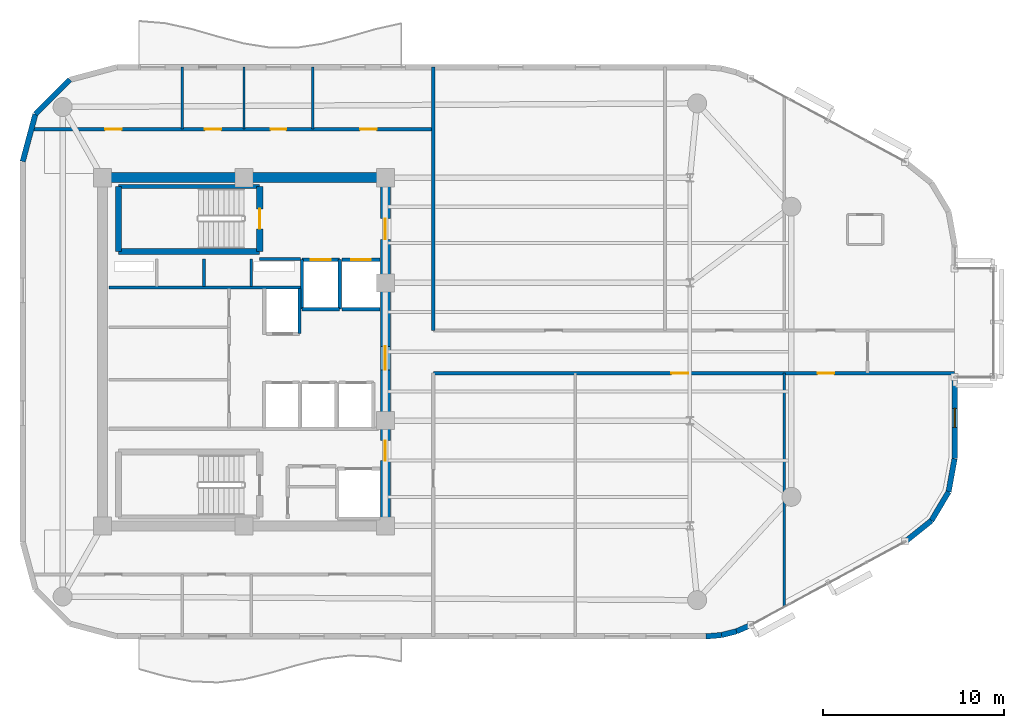
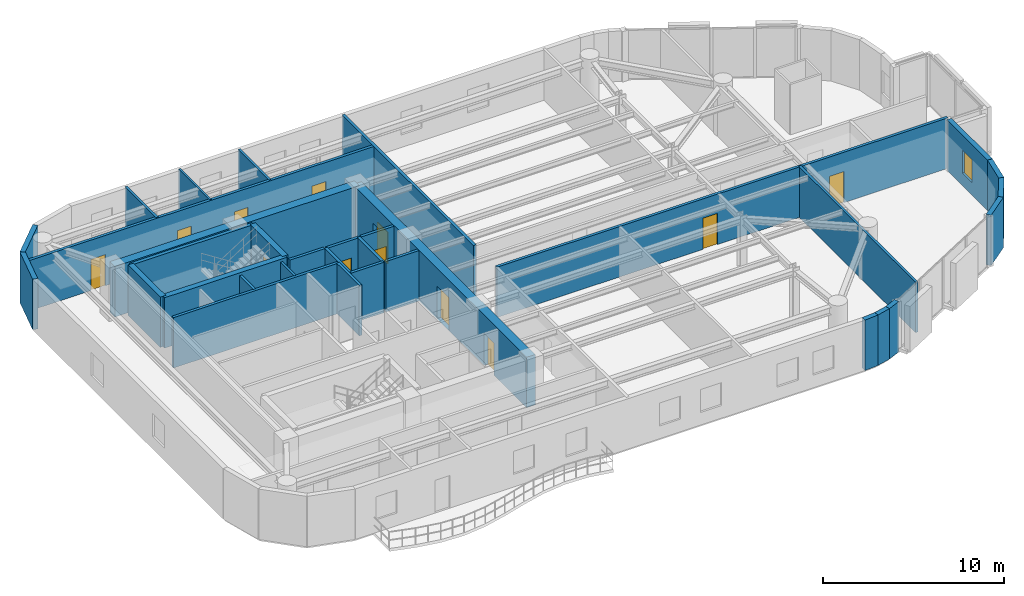
# One storey, part 11 of 15: 33 walls, 12 doors, 1 window, 13 openings.
"""IFC4 building model written with IfcOpenShell, lengths in metres."""

import ifcopenshell
import ifcopenshell.guid

model = None  # the IFC model being written
_history = None  # IfcOwnerHistory: only IFC2X3 demands one
_inside = {}  # id of a spatial element -> (the spatial element, [elements in it])
_under = {}  # id of a project, library or spatial element -> (it, [spatial elements below it])
_declared = {}  # id of a project -> (the project, [libraries it declares])
_typed = {}  # id of a type object -> (the type object, [elements of that type])
_made_of = {}  # id of a material, layer set ... -> (it, [elements and type objects made of it])


def new_model(schema):
    """Start an empty IFC model of exactly this schema.

    Asked for "IFC4X3", IfcOpenShell would pick the latest addendum, in which some entities
    have other attributes; the version numbers below select the first issue.
    IFC2X3 requires an IfcOwnerHistory on every rooted entity: one is made here for all.
    """
    global model, _history
    if schema == "IFC4X3":
        model = ifcopenshell.file(schema_version=(4, 3, 0, 0))
    else:
        model = ifcopenshell.file(schema=schema)
    _inside.clear()
    _under.clear()
    _declared.clear()
    _typed.clear()
    _made_of.clear()
    _history = None
    if model.schema == "IFC2X3":
        org = make("IfcOrganization", Name="unknown")
        user = make(
            "IfcPersonAndOrganization",
            ThePerson=make("IfcPerson", FamilyName="unknown"),
            TheOrganization=org,
        )
        app = make(
            "IfcApplication",
            ApplicationDeveloper=org,
            Version="unknown",
            ApplicationFullName="unknown",
            ApplicationIdentifier="unknown",
        )
        _history = make(
            "IfcOwnerHistory",
            OwningUser=user,
            OwningApplication=app,
            ChangeAction="ADDED",
            CreationDate=0,
        )
    return model


def make(cls, **values):
    """One entity of the class cls with the attributes given. An attribute that is None is left unset."""
    return model.create_entity(
        cls, **{name: value for name, value in values.items() if value is not None}
    )


def rooted(cls, **values):
    """An entity with a GlobalId (a new one), such as an element, a storey or a relation."""
    return make(cls, GlobalId=ifcopenshell.guid.new(), OwnerHistory=_history, **values)


def si_unit(unit_type, name, prefix=None):
    """IfcSIUnit, for example si_unit("LENGTHUNIT", "METRE", prefix="MILLI")."""
    return make("IfcSIUnit", UnitType=unit_type, Prefix=prefix, Name=name)


def assignment(units):
    """IfcUnitAssignment: the units of a project."""
    return None if units is None else make("IfcUnitAssignment", Units=units)


def point(xyz):
    """IfcCartesianPoint."""
    return None if xyz is None else make("IfcCartesianPoint", Coordinates=xyz)


def direction(xyz):
    """IfcDirection."""
    return None if xyz is None else make("IfcDirection", DirectionRatios=xyz)


def frame(location, z_axis=None, x_axis=None):
    """IfcAxis2Placement3D, a coordinate frame: its origin and axes. An axis left out is left unset."""
    return make(
        "IfcAxis2Placement3D",
        Location=point(location),
        Axis=direction(z_axis),
        RefDirection=direction(x_axis),
    )


def frame_2d(location, x_axis=None):
    """IfcAxis2Placement2D, a coordinate frame in the plane: its origin and x axis."""
    return make(
        "IfcAxis2Placement2D", Location=point(location), RefDirection=direction(x_axis)
    )


def origin():
    """The frame at (0, 0, 0) with its axes left unset."""
    return frame((0.0, 0.0, 0.0))


def place(relative_to, where):
    """IfcLocalPlacement: puts the frame where relative to a parent placement (None: the world)."""
    return make(
        "IfcLocalPlacement", PlacementRelTo=relative_to, RelativePlacement=where
    )


def context(
    kind, dimensions, precision=None, world=None, true_north=None, identifier=None
):
    """IfcGeometricRepresentationContext, for example the 3D "Model" context."""
    return make(
        "IfcGeometricRepresentationContext",
        ContextIdentifier=identifier,
        ContextType=kind,
        CoordinateSpaceDimension=dimensions,
        Precision=precision,
        WorldCoordinateSystem=world,
        TrueNorth=true_north,
    )


def subcontext(parent, identifier, kind, view, scale=None):
    """IfcGeometricRepresentationSubContext, for example "Body" below "Model"."""
    return make(
        "IfcGeometricRepresentationSubContext",
        ContextIdentifier=identifier,
        ContextType=kind,
        ParentContext=parent,
        TargetScale=scale,
        TargetView=view,
    )


def project(units=None, contexts=None):
    """IfcProject with its units and contexts."""
    return rooted(
        "IfcProject",
        Name="project",
        RepresentationContexts=contexts,
        UnitsInContext=assignment(units),
    )


def spatial(cls, under=None, at=None, **own):
    """A site, building, storey or space (cls), placed at a placement, below another one or the project."""
    s = rooted(cls, ObjectPlacement=at, **own)
    if under is not None:
        _under.setdefault(under.id(), (under, []))[1].append(s)
    return s


def profile(cls, at=None, kind="AREA", **sizes):
    """A parametric profile (cls). Its sizes go by their IFC names, for example OverallWidth=200.0."""
    return make(cls, ProfileType=kind, Position=at, **sizes)


def rectangle(**sizes):
    """IfcRectangleProfileDef."""
    return profile("IfcRectangleProfileDef", **sizes)


def extrude(swept, where, along, depth):
    """IfcExtrudedAreaSolid: the profile swept, set in the frame where, extruded along a direction by depth."""
    return make(
        "IfcExtrudedAreaSolid",
        SweptArea=swept,
        Position=where,
        ExtrudedDirection=direction(along),
        Depth=depth,
    )


def shape(context_of_items, identifier, shape_type, items):
    """IfcShapeRepresentation: the items that make up one representation, for example the "Body"."""
    return make(
        "IfcShapeRepresentation",
        ContextOfItems=context_of_items,
        RepresentationIdentifier=identifier,
        RepresentationType=shape_type,
        Items=items,
    )


def material(Name=None, Category=None):
    """IfcMaterial."""
    return make("IfcMaterial", Name=Name, Category=Category)


def layer(
    of_material, thickness, ventilated=None, Name=None, Category=None, Priority=None
):
    """IfcMaterialLayer: one layer of a wall or slab, of a material (None: an air gap)."""
    return make(
        "IfcMaterialLayer",
        Material=of_material,
        LayerThickness=thickness,
        IsVentilated=ventilated,
        Name=Name,
        Category=Category,
        Priority=Priority,
    )


def layer_set(layers, Name=None):
    """IfcMaterialLayerSet."""
    return make("IfcMaterialLayerSet", MaterialLayers=layers, LayerSetName=Name)


def made_of(thing, what):
    """Note that an element or type object is made of a material, layer set ...; save() writes the relation."""
    if what is not None:
        _made_of.setdefault(what.id(), (what, []))[1].append(thing)
    return thing


def type_object(cls, material=None, **own):
    """A type object (cls), such as IfcWallType, which elements share."""
    return made_of(rooted(cls, **own), material)


def element(
    cls,
    number,
    at=None,
    inside=None,
    cuts=None,
    type_object=None,
    material=None,
    context=None,
    identifier="Body",
    shape_type=None,
    held_by="IfcProductDefinitionShape",
    body=None,
    shapes=None,
    **own,
):
    """One element of the class cls, such as IfcWall. Its Tag is "e" and its number.

    at: its placement. inside: the storey or other place that contains it. cuts: it is an
    opening in that element (IfcRelVoidsElement). A single representation is given by context,
    identifier, shape_type and body (its items); several are given by shapes. held_by: the class
    of the entity that holds the representations. save() writes the other relations.
    """
    e = rooted(cls, Tag="e%d" % number, ObjectPlacement=at, **own)
    if body is not None:
        shapes = [shape(context, identifier, shape_type, body)]
    if shapes is not None:
        e.Representation = make(held_by, Representations=shapes)
    if inside is not None:
        _inside.setdefault(inside.id(), (inside, []))[1].append(e)
    if cuts is not None:
        rooted(
            "IfcRelVoidsElement", RelatingBuildingElement=cuts, RelatedOpeningElement=e
        )
    if type_object is not None:
        _typed.setdefault(type_object.id(), (type_object, []))[1].append(e)
    return made_of(e, material)


def fill(opening, filler):
    """IfcRelFillsElement: the door or window that sits in an opening."""
    return rooted(
        "IfcRelFillsElement",
        RelatingOpeningElement=opening,
        RelatedBuildingElement=filler,
    )


def aggregate(whole, parts):
    """IfcRelAggregates: a whole, such as a stair, and the parts it consists of."""
    return rooted("IfcRelAggregates", RelatingObject=whole, RelatedObjects=parts)


def save(model, path):
    """Write the relations noted so far, then the file.

    IfcRelAggregates (storeys below a building ...), IfcRelContainedInSpatialStructure (elements
    in a storey), IfcRelDefinesByType, IfcRelAssociatesMaterial and IfcRelDeclares: one each for
    every whole, place, type object, material and project.
    """
    for whole, parts in _under.values():
        aggregate(whole, parts)
    for where, things in _inside.values():
        rooted(
            "IfcRelContainedInSpatialStructure",
            RelatedElements=things,
            RelatingStructure=where,
        )
    for kind, things in _typed.values():
        rooted("IfcRelDefinesByType", RelatedObjects=things, RelatingType=kind)
    for what, things in _made_of.values():
        rooted("IfcRelAssociatesMaterial", RelatedObjects=things, RelatingMaterial=what)
    for by, libraries in _declared.values():
        rooted("IfcRelDeclares", RelatingContext=by, RelatedDefinitions=libraries)
    model.write(path)


model = new_model("IFC4")

# Units and contexts
model_context = context("Model", 3, precision=1e-05, world=origin(), true_north=direction((0.0, 1.0)))
body_context = subcontext(model_context, "Body", "Model", "MODEL_VIEW")
ifc_project = project(units=[si_unit("LENGTHUNIT", "METRE"), si_unit("AREAUNIT", "SQUARE_METRE"), si_unit("VOLUMEUNIT", "CUBIC_METRE"), si_unit("PLANEANGLEUNIT", "RADIAN"), si_unit("MASSUNIT", "GRAM", prefix="KILO")], contexts=[model_context])

# Site, building, storey
site_placement = place(None, origin())
site = spatial("IfcSite", under=ifc_project, at=site_placement, CompositionType="ELEMENT")
building_placement = place(site_placement, origin())
building = spatial("IfcBuilding", under=site, at=building_placement, Name="An Khanh Terracotta Commons", CompositionType="ELEMENT")
storey_placement = place(building_placement, frame((0.0, 0.0, 208.5)))
storey = spatial("IfcBuildingStorey", under=building, at=storey_placement, Name="L54", CompositionType="ELEMENT", Elevation=208.5)

# Wall
ifc_material_1 = material(Name="Concrete C50/60", Category="concrete")
ifc_layer_1 = layer(ifc_material_1, 0.550048828125, Name="Concrete C50/60")
ifc_layer_set_1 = layer_set([ifc_layer_1], Name="Concrete C50/60")
wall_type_1 = type_object("IfcWallType", Name="WALL-CORE-550", PredefinedType="SHEAR", material=ifc_layer_set_1)
wall_1_placement = place(storey_placement, frame((21.60009765625, 33.60009765625, 0.0), z_axis=(0.0, 0.0, 1.0), x_axis=(1.0, 0.0, 0.0)))
element("IfcWall", 1, at=wall_1_placement, inside=storey, type_object=wall_type_1, Name="L54 Core Wall CWALL-L54-N", PredefinedType="SHEAR", context=body_context, shape_type="SweptSolid", body=[
    extrude(rectangle(XDim=15.599853515625, YDim=0.550048828125, at=frame_2d((7.7998046875, 0.0))), origin(), (0.0, 0.0, 1.0), 3.39990234375),
])

# Wall, openings, doors
wall_2_placement = place(storey_placement, frame((37.199951171875, 14.39990234375, 0.0), z_axis=(0.0, 0.0, 1.0), x_axis=(0.0, 1.0, 0.0)))
wall_2 = element("IfcWall", 2, at=wall_2_placement, inside=storey, type_object=wall_type_1, Name="L54 Core Wall CWALL-L54-E", PredefinedType="SHEAR", context=body_context, shape_type="SweptSolid", body=[
    extrude(rectangle(XDim=19.2001953125, YDim=0.550048828125, at=frame_2d((9.60009765625, 0.0))), origin(), (0.0, 0.0, 1.0), 3.39990234375),
])
opening_1_placement = place(wall_2_placement, frame((15.800048828125, 0.0, 0.0)))
opening_1 = element("IfcOpeningElement", 3, at=opening_1_placement, cuts=wall_2, Name="Opening D-FFL", PredefinedType="OPENING", context=body_context, shape_type="SweptSolid", body=[
    extrude(rectangle(XDim=1.14990234375, YDim=2.14990234375, at=frame_2d((0.574951171875, 1.074951171875))), frame((0.0, 0.284912109375, 0.0), z_axis=(0.0, -1.0, 0.0), x_axis=(1.0, 0.0, 0.0)), (0.0, 0.0, 1.0), 0.570068359375),
])
opening_2_placement = place(wall_2_placement, frame((3.60009765625, 0.0, 0.0)))
opening_2 = element("IfcOpeningElement", 4, at=opening_2_placement, cuts=wall_2, Name="Opening D-ST", PredefinedType="OPENING", context=body_context, shape_type="SweptSolid", body=[
    extrude(rectangle(XDim=1.10009765625, YDim=2.14990234375, at=frame_2d((0.550048828125, 1.074951171875))), frame((0.0, 0.284912109375, 0.0), z_axis=(0.0, -1.0, 0.0), x_axis=(1.0, 0.0, 0.0)), (0.0, 0.0, 1.0), 0.570068359375),
])
opening_3_placement = place(wall_2_placement, frame((8.60009765625, 0.0, 0.0)))
opening_3 = element("IfcOpeningElement", 5, at=opening_3_placement, cuts=wall_2, Name="Opening D-COR", PredefinedType="OPENING", context=body_context, shape_type="SweptSolid", body=[
    extrude(rectangle(XDim=1.300048828125, YDim=2.199951171875, at=frame_2d((0.64990234375, 1.10009765625))), frame((0.0, 0.284912109375, 0.0), z_axis=(0.0, -1.0, 0.0), x_axis=(1.0, 0.0, 0.0)), (0.0, 0.0, 1.0), 0.570068359375),
])
ifc_material_2 = material(Name="Fire-Rated Glazed Steel Double Door", Category="steel")
door_type_1 = type_object("IfcDoorType", Name="DOOR-CORR-1300", OperationType="NOTDEFINED", PredefinedType="DOOR", material=ifc_material_2)
door_1_placement = place(opening_3_placement, origin())
door_1 = element("IfcDoor", 6, at=door_1_placement, inside=storey, type_object=door_type_1, Name="L54 Passenger Lift Lobby Double Door", OperationType="DOUBLE_DOOR_SINGLE_SWING", OverallHeight=2.199951171875, OverallWidth=1.300048828125, PredefinedType="DOOR", context=body_context, shape_type="SweptSolid", body=[
    extrude(rectangle(XDim=1.300048828125, YDim=2.199951171875, at=frame_2d((0.64990234375, 1.10009765625))), frame((0.0, 0.02490234375, 0.0), z_axis=(0.0, -1.0, 0.0), x_axis=(1.0, 0.0, 0.0)), (0.0, 0.0, 1.0), 0.050048828125),
])
fill(opening_3, door_1)
ifc_material_3 = material(Name="Fire-Rated Steel Leaf and Vision Panel", Category="steel")
door_type_2 = type_object("IfcDoorType", Name="DOOR-FFL-1150", OperationType="NOTDEFINED", PredefinedType="DOOR", material=ifc_material_3)
door_2_placement = place(opening_1_placement, origin())
door_2 = element("IfcDoor", 7, at=door_2_placement, inside=storey, type_object=door_type_2, Name="L54 Firefighting Lift Lobby Fire Door", OperationType="SINGLE_SWING_LEFT", OverallHeight=2.14990234375, OverallWidth=1.14990234375, PredefinedType="DOOR", context=body_context, shape_type="SweptSolid", body=[
    extrude(rectangle(XDim=1.14990234375, YDim=2.14990234375, at=frame_2d((0.574951171875, 1.074951171875))), frame((0.0, 0.02490234375, 0.0), z_axis=(0.0, -1.0, 0.0), x_axis=(1.0, 0.0, 0.0)), (0.0, 0.0, 1.0), 0.050048828125),
])
fill(opening_1, door_2)
ifc_material_4 = material(Name="Fire-Rated Steel Leaf and Frame", Category="steel")
door_type_3 = type_object("IfcDoorType", Name="DOOR-STAIR-1100", OperationType="NOTDEFINED", PredefinedType="DOOR", material=ifc_material_4)
door_3_placement = place(opening_2_placement, origin())
door_3 = element("IfcDoor", 8, at=door_3_placement, inside=storey, type_object=door_type_3, Name="L54 South Stair Lobby Fire Door", OperationType="SINGLE_SWING_RIGHT", OverallHeight=2.14990234375, OverallWidth=1.10009765625, PredefinedType="DOOR", context=body_context, shape_type="SweptSolid", body=[
    extrude(rectangle(XDim=1.10009765625, YDim=2.14990234375, at=frame_2d((0.550048828125, 1.074951171875))), frame((0.0, 0.02490234375, 0.0), z_axis=(0.0, -1.0, 0.0), x_axis=(1.0, 0.0, 0.0)), (0.0, 0.0, 1.0), 0.050048828125),
])
fill(opening_2, door_3)

# Walls
ifc_material_5 = material(Name="Fire-Rated Gypsum Board on Steel Stud", Category="steel")
ifc_layer_2 = layer(ifc_material_5, 0.179931640625, Name="Fire-Rated Gypsum Board on Steel Stud")
ifc_layer_set_2 = layer_set([ifc_layer_2], Name="Fire-Rated Gypsum Board on Steel Stud")
wall_type_2 = type_object("IfcWallType", Name="WALL-CORR-180", PredefinedType="PARTITIONING", material=ifc_layer_set_2)
wall_3_placement = place(storey_placement, frame((30.27001953125, 29.1201171875, 0.0), z_axis=(0.0, 0.0, 1.0), x_axis=(1.0, 0.0, 0.0)))
element("IfcWall", 9, at=wall_3_placement, inside=storey, type_object=wall_type_2, Name="L54 Core Wall FFLW-L54-S", PredefinedType="PARTITIONING", context=body_context, shape_type="SweptSolid", body=[
    extrude(rectangle(XDim=2.239990234375, YDim=0.179931640625, at=frame_2d((1.1201171875, 0.0))), origin(), (0.0, 0.0, 1.0), 3.39990234375),
])
wall_4_placement = place(storey_placement, frame((21.949951171875, 27.5400390625, 0.0), z_axis=(0.0, 0.0, 1.0), x_axis=(1.0, 0.0, 0.0)))
element("IfcWall", 10, at=wall_4_placement, inside=storey, type_object=wall_type_2, Name="L54 Core Wall RSRW-L54-S", PredefinedType="PARTITIONING", context=body_context, shape_type="SweptSolid", body=[
    extrude(rectangle(XDim=10.56005859375, YDim=0.179931640625, at=frame_2d((5.280029296875, 0.0))), origin(), (0.0, 0.0, 1.0), 3.39990234375),
])

# Wall, opening, door
wall_5_placement = place(storey_placement, frame((32.60009765625, 29.080078125, 0.0), z_axis=(0.0, 0.0, 1.0), x_axis=(1.0, 0.0, 0.0)))
wall_5 = element("IfcWall", 11, at=wall_5_placement, inside=storey, type_object=wall_type_2, Name="L54 Core Wall LSH-L54-FFL-01-N", PredefinedType="PARTITIONING", context=body_context, shape_type="SweptSolid", body=[
    extrude(rectangle(XDim=2.079833984375, YDim=0.179931640625, at=frame_2d((1.0400390625, 0.0))), origin(), (0.0, 0.0, 1.0), 3.39990234375),
])
opening_4_placement = place(wall_5_placement, frame((0.489990234375, 0.0, 0.0)))
opening_4 = element("IfcOpeningElement", 12, at=opening_4_placement, cuts=wall_5, Name="Opening LD-FFL-01-L54", PredefinedType="OPENING", context=body_context, shape_type="SweptSolid", body=[
    extrude(rectangle(XDim=1.10009765625, YDim=2.199951171875, at=frame_2d((0.550048828125, 1.10009765625))), frame((0.0, 0.099853515625, 0.0), z_axis=(0.0, -1.0, 0.0), x_axis=(1.0, 0.0, 0.0)), (0.0, 0.0, 1.0), 0.199951171875),
])
ifc_material_6 = material(Name="Brushed Stainless Steel Fire Landing Door", Category="steel")
door_type_4 = type_object("IfcDoorType", Name="DOOR-LD-FFL-1100", OperationType="NOTDEFINED", PredefinedType="DOOR", material=ifc_material_6)
door_4_placement = place(opening_4_placement, origin())
door_4 = element("IfcDoor", 13, at=door_4_placement, inside=storey, type_object=door_type_4, Name="L54 Lift FFL-01 Sliding Landing Door", OperationType="DOUBLE_DOOR_SLIDING", OverallHeight=2.199951171875, OverallWidth=1.10009765625, PredefinedType="DOOR", context=body_context, shape_type="SweptSolid", body=[
    extrude(rectangle(XDim=1.10009765625, YDim=2.199951171875, at=frame_2d((0.550048828125, 1.10009765625))), frame((0.0, 0.02490234375, 0.0), z_axis=(0.0, -1.0, 0.0), x_axis=(1.0, 0.0, 0.0)), (0.0, 0.0, 1.0), 0.050048828125),
])
fill(opening_4, door_4)

# Walls
wall_6_placement = place(storey_placement, frame((34.679931640625, 26.35009765625, 0.0), z_axis=(0.0, 0.0, 1.0), x_axis=(-1.0, 0.0, 0.0)))
element("IfcWall", 14, at=wall_6_placement, inside=storey, type_object=wall_type_2, Name="L54 Core Wall LSH-L54-FFL-01-S", PredefinedType="PARTITIONING", context=body_context, shape_type="SweptSolid", body=[
    extrude(rectangle(XDim=2.079833984375, YDim=0.179931640625, at=frame_2d((1.0400390625, 0.0))), origin(), (0.0, 0.0, 1.0), 3.39990234375),
])
for number, where, z_axis, x_axis, name in (
    (15, (34.679931640625, 26.35009765625, 0.0), (0.0, 0.0, 1.0), (0.0, 1.0, 0.0), "L54 Core Wall LSH-L54-FFL-01-E"),
    (16, (32.60009765625, 29.080078125, 0.0), (0.0, 0.0, 1.0), (0.0, -1.0, 0.0), "L54 Core Wall LSH-L54-FFL-01-W"),
):
    element("IfcWall", number, at=place(storey_placement, frame(where, z_axis=z_axis, x_axis=x_axis)), inside=storey, type_object=wall_type_2, Name=name, PredefinedType="PARTITIONING", context=body_context, shape_type="SweptSolid", body=[
        extrude(rectangle(XDim=2.72998046875, YDim=0.179931640625, at=frame_2d((1.364990234375, 0.0))), origin(), (0.0, 0.0, 1.0), 3.39990234375),
    ])

# Wall, opening, door
wall_7_placement = place(storey_placement, frame((34.820068359375, 29.080078125, 0.0), z_axis=(0.0, 0.0, 1.0), x_axis=(1.0, 0.0, 0.0)))
wall_7 = element("IfcWall", 17, at=wall_7_placement, inside=storey, type_object=wall_type_2, Name="L54 Core Wall LSH-L54-FFL-02-N", PredefinedType="PARTITIONING", context=body_context, shape_type="SweptSolid", body=[
    extrude(rectangle(XDim=2.079833984375, YDim=0.179931640625, at=frame_2d((1.0400390625, 0.0))), origin(), (0.0, 0.0, 1.0), 3.39990234375),
])
opening_5_placement = place(wall_7_placement, frame((0.489990234375, 0.0, 0.0)))
opening_5 = element("IfcOpeningElement", 18, at=opening_5_placement, cuts=wall_7, Name="Opening LD-FFL-02-L54", PredefinedType="OPENING", context=body_context, shape_type="SweptSolid", body=[
    extrude(rectangle(XDim=1.10009765625, YDim=2.199951171875, at=frame_2d((0.550048828125, 1.10009765625))), frame((0.0, 0.099853515625, 0.0), z_axis=(0.0, -1.0, 0.0), x_axis=(1.0, 0.0, 0.0)), (0.0, 0.0, 1.0), 0.199951171875),
])
door_5_placement = place(opening_5_placement, origin())
door_5 = element("IfcDoor", 19, at=door_5_placement, inside=storey, type_object=door_type_4, Name="L54 Lift FFL-02 Sliding Landing Door", OperationType="DOUBLE_DOOR_SLIDING", OverallHeight=2.199951171875, OverallWidth=1.10009765625, PredefinedType="DOOR", context=body_context, shape_type="SweptSolid", body=[
    extrude(rectangle(XDim=1.10009765625, YDim=2.199951171875, at=frame_2d((0.550048828125, 1.10009765625))), frame((0.0, 0.02490234375, 0.0), z_axis=(0.0, -1.0, 0.0), x_axis=(1.0, 0.0, 0.0)), (0.0, 0.0, 1.0), 0.050048828125),
])
fill(opening_5, door_5)

# Walls
wall_8_placement = place(storey_placement, frame((36.89990234375, 26.35009765625, 0.0), z_axis=(0.0, 0.0, 1.0), x_axis=(-1.0, 0.0, 0.0)))
element("IfcWall", 20, at=wall_8_placement, inside=storey, type_object=wall_type_2, Name="L54 Core Wall LSH-L54-FFL-02-S", PredefinedType="PARTITIONING", context=body_context, shape_type="SweptSolid", body=[
    extrude(rectangle(XDim=2.079833984375, YDim=0.179931640625, at=frame_2d((1.0400390625, 0.0))), origin(), (0.0, 0.0, 1.0), 3.39990234375),
])
wall_9_placement = place(storey_placement, frame((32.4599609375, 25.0, 0.0), z_axis=(0.0, 0.0, 1.0), x_axis=(0.0, 1.0, 0.0)))
element("IfcWall", 21, at=wall_9_placement, inside=storey, type_object=wall_type_2, Name="L54 Core Wall LSH-L54-PL-H1-E", PredefinedType="PARTITIONING", context=body_context, shape_type="SweptSolid", body=[
    extrude(rectangle(XDim=2.5, YDim=0.179931640625, at=frame_2d((1.25, 0.0))), origin(), (0.0, 0.0, 1.0), 3.39990234375),
])

# Wall, openings, doors
wall_10_placement = place(storey_placement, frame((39.85009765625, 22.820068359375, 0.0), z_axis=(0.0, 0.0, 1.0), x_axis=(1.0, 0.0, 0.0)))
wall_10 = element("IfcWall", 22, at=wall_10_placement, inside=storey, type_object=wall_type_2, Name="L54 Interior Partition IW-L54-E002", PredefinedType="PARTITIONING", context=body_context, shape_type="SweptSolid", body=[
    extrude(rectangle(XDim=28.75, YDim=0.179931640625, at=frame_2d((14.375, 0.0))), origin(), (0.0, 0.0, 1.0), 3.39990234375),
])
opening_6_placement = place(wall_10_placement, frame((13.131103515625, 0.0, 0.0)))
opening_6 = element("IfcOpeningElement", 23, at=opening_6_placement, cuts=wall_10, Name="Opening D-RM", PredefinedType="OPENING", context=body_context, shape_type="SweptSolid", body=[
    extrude(rectangle(XDim=0.919921875, YDim=2.10009765625, at=frame_2d((0.4599609375, 1.050048828125))), frame((0.0, 0.099853515625, 0.0), z_axis=(0.0, -1.0, 0.0), x_axis=(1.0, 0.0, 0.0)), (0.0, 0.0, 1.0), 0.199951171875),
])
opening_7_placement = place(wall_10_placement, frame((21.18994140625, 0.0, 0.0)))
opening_7 = element("IfcOpeningElement", 24, at=opening_7_placement, cuts=wall_10, Name="Opening D-RM", PredefinedType="OPENING", context=body_context, shape_type="SweptSolid", body=[
    extrude(rectangle(XDim=0.919921875, YDim=2.10009765625, at=frame_2d((0.4599609375, 1.050048828125))), frame((0.0, 0.099853515625, 0.0), z_axis=(0.0, -1.0, 0.0), x_axis=(1.0, 0.0, 0.0)), (0.0, 0.0, 1.0), 0.199951171875),
])
ifc_material_7 = material(Name="Engineered Hardwood Timber Leaf", Category="wood")
door_type_5 = type_object("IfcDoorType", Name="DOOR-INT-920", OperationType="NOTDEFINED", PredefinedType="DOOR", material=ifc_material_7)
door_6_placement = place(opening_6_placement, origin())
door_6 = element("IfcDoor", 25, at=door_6_placement, inside=storey, type_object=door_type_5, Name="L54 SB2 Group Tutorial Meeting Room Door", OperationType="SINGLE_SWING_LEFT", OverallHeight=2.10009765625, OverallWidth=0.919921875, PredefinedType="DOOR", context=body_context, shape_type="SweptSolid", body=[
    extrude(rectangle(XDim=0.919921875, YDim=2.10009765625, at=frame_2d((0.4599609375, 1.050048828125))), frame((0.0, 0.02490234375, 0.0), z_axis=(0.0, -1.0, 0.0), x_axis=(1.0, 0.0, 0.0)), (0.0, 0.0, 1.0), 0.050048828125),
])
fill(opening_6, door_6)
door_7_placement = place(opening_7_placement, origin())
door_7 = element("IfcDoor", 26, at=door_7_placement, inside=storey, type_object=door_type_5, Name="L54 ENO2 Riverfront Reading Hall Door", OperationType="SINGLE_SWING_LEFT", OverallHeight=2.10009765625, OverallWidth=0.919921875, PredefinedType="DOOR", context=body_context, shape_type="SweptSolid", body=[
    extrude(rectangle(XDim=0.919921875, YDim=2.10009765625, at=frame_2d((0.4599609375, 1.050048828125))), frame((0.0, 0.02490234375, 0.0), z_axis=(0.0, -1.0, 0.0), x_axis=(1.0, 0.0, 0.0)), (0.0, 0.0, 1.0), 0.050048828125),
])
fill(opening_7, door_7)

wall_11_placement = place(storey_placement, frame((17.677001953125, 36.280029296875, 0.0), z_axis=(0.0, 0.0, 1.0), x_axis=(1.0, 0.0, 0.0)))
wall_11 = element("IfcWall", 27, at=wall_11_placement, inside=storey, type_object=wall_type_2, Name="L54 Interior Partition IW-L54-E004", PredefinedType="PARTITIONING", context=body_context, shape_type="SweptSolid", body=[
    extrude(rectangle(XDim=22.173095703125, YDim=0.179931640625, at=frame_2d((11.08642578125, 0.0))), origin(), (0.0, 0.0, 1.0), 3.39990234375),
])
opening_8_placement = place(wall_11_placement, frame((9.572998046875, 0.0, 0.0)))
opening_8 = element("IfcOpeningElement", 28, at=opening_8_placement, cuts=wall_11, Name="Opening D-WC", PredefinedType="OPENING", context=body_context, shape_type="SweptSolid", body=[
    extrude(rectangle(XDim=0.89990234375, YDim=2.10009765625, at=frame_2d((0.449951171875, 1.050048828125))), frame((0.0, 0.099853515625, 0.0), z_axis=(0.0, -1.0, 0.0), x_axis=(1.0, 0.0, 0.0)), (0.0, 0.0, 1.0), 0.199951171875),
])
opening_9_placement = place(wall_11_placement, frame((13.193115234375, 0.0, 0.0)))
opening_9 = element("IfcOpeningElement", 29, at=opening_9_placement, cuts=wall_11, Name="Opening D-ENS", PredefinedType="OPENING", context=body_context, shape_type="SweptSolid", body=[
    extrude(rectangle(XDim=0.860107421875, YDim=2.10009765625, at=frame_2d((0.43017578125, 1.050048828125))), frame((0.0, 0.099853515625, 0.0), z_axis=(0.0, -1.0, 0.0), x_axis=(1.0, 0.0, 0.0)), (0.0, 0.0, 1.0), 0.199951171875),
])
opening_10_placement = place(wall_11_placement, frame((4.06298828125, 0.0, 0.0)))
opening_10 = element("IfcOpeningElement", 30, at=opening_10_placement, cuts=wall_11, Name="Opening D-RM", PredefinedType="OPENING", context=body_context, shape_type="SweptSolid", body=[
    extrude(rectangle(XDim=0.919921875, YDim=2.10009765625, at=frame_2d((0.4599609375, 1.050048828125))), frame((0.0, 0.099853515625, 0.0), z_axis=(0.0, -1.0, 0.0), x_axis=(1.0, 0.0, 0.0)), (0.0, 0.0, 1.0), 0.199951171875),
])
opening_11_placement = place(wall_11_placement, frame((18.1279296875, 0.0, 0.0)))
opening_11 = element("IfcOpeningElement", 31, at=opening_11_placement, cuts=wall_11, Name="Opening D-RM", PredefinedType="OPENING", context=body_context, shape_type="SweptSolid", body=[
    extrude(rectangle(XDim=0.919921875, YDim=2.10009765625, at=frame_2d((0.4599609375, 1.050048828125))), frame((0.0, 0.099853515625, 0.0), z_axis=(0.0, -1.0, 0.0), x_axis=(1.0, 0.0, 0.0)), (0.0, 0.0, 1.0), 0.199951171875),
])
ifc_material_8 = material(Name="Moisture-Resistant Hardwood Timber Leaf", Category="wood")
door_type_6 = type_object("IfcDoorType", Name="DOOR-BATH-860", OperationType="NOTDEFINED", PredefinedType="DOOR", material=ifc_material_8)
door_8_placement = place(opening_9_placement, origin())
door_8 = element("IfcDoor", 32, at=door_8_placement, inside=storey, type_object=door_type_6, Name="L54 SHW Resident Shared Shower and Washroom Door", OperationType="SINGLE_SWING_RIGHT", OverallHeight=2.10009765625, OverallWidth=0.860107421875, PredefinedType="DOOR", context=body_context, shape_type="SweptSolid", body=[
    extrude(rectangle(XDim=0.860107421875, YDim=2.10009765625, at=frame_2d((0.43017578125, 1.050048828125))), frame((0.0, 0.02490234375, 0.0), z_axis=(0.0, -1.0, 0.0), x_axis=(1.0, 0.0, 0.0)), (0.0, 0.0, 1.0), 0.050048828125),
])
fill(opening_9, door_8)
door_9_placement = place(opening_10_placement, origin())
door_9 = element("IfcDoor", 33, at=door_9_placement, inside=storey, type_object=door_type_5, Name="L54 NW1 Group Tutorial Meeting Room Door", OperationType="SINGLE_SWING_LEFT", OverallHeight=2.10009765625, OverallWidth=0.919921875, PredefinedType="DOOR", context=body_context, shape_type="SweptSolid", body=[
    extrude(rectangle(XDim=0.919921875, YDim=2.10009765625, at=frame_2d((0.4599609375, 1.050048828125))), frame((0.0, 0.02490234375, 0.0), z_axis=(0.0, -1.0, 0.0), x_axis=(1.0, 0.0, 0.0)), (0.0, 0.0, 1.0), 0.050048828125),
])
fill(opening_10, door_9)
door_10_placement = place(opening_11_placement, origin())
door_10 = element("IfcDoor", 34, at=door_10_placement, inside=storey, type_object=door_type_5, Name="L54 NWE Group Tutorial Meeting Room Door", OperationType="SINGLE_SWING_RIGHT", OverallHeight=2.10009765625, OverallWidth=0.919921875, PredefinedType="DOOR", context=body_context, shape_type="SweptSolid", body=[
    extrude(rectangle(XDim=0.919921875, YDim=2.10009765625, at=frame_2d((0.4599609375, 1.050048828125))), frame((0.0, 0.02490234375, 0.0), z_axis=(0.0, -1.0, 0.0), x_axis=(1.0, 0.0, 0.0)), (0.0, 0.0, 1.0), 0.050048828125),
])
fill(opening_11, door_10)
ifc_material_9 = material(Name="Laminate Moisture-Resistant Timber Leaf", Category="wood")
door_type_7 = type_object("IfcDoorType", Name="DOOR-WC-900", OperationType="NOTDEFINED", PredefinedType="DOOR", material=ifc_material_9)
door_11_placement = place(opening_8_placement, origin())
door_11 = element("IfcDoor", 35, at=door_11_placement, inside=storey, type_object=door_type_7, Name="L54 AWC Accessible WC Door", OperationType="SINGLE_SWING_LEFT", OverallHeight=2.10009765625, OverallWidth=0.89990234375, PredefinedType="DOOR", context=body_context, shape_type="SweptSolid", body=[
    extrude(rectangle(XDim=0.89990234375, YDim=2.10009765625, at=frame_2d((0.449951171875, 1.050048828125))), frame((0.0, 0.02490234375, 0.0), z_axis=(0.0, -1.0, 0.0), x_axis=(1.0, 0.0, 0.0)), (0.0, 0.0, 1.0), 0.050048828125),
])
fill(opening_8, door_11)

# Walls
wall_12_placement = place(storey_placement, frame((39.85009765625, 25.179931640625, 0.0), z_axis=(0.0, 0.0, 1.0), x_axis=(0.0, 1.0, 0.0)))
element("IfcWall", 36, at=wall_12_placement, inside=storey, type_object=wall_type_2, Name="L54 Interior Partition IW-L54-E011", PredefinedType="PARTITIONING", context=body_context, shape_type="SweptSolid", body=[
    extrude(rectangle(XDim=14.52001953125, YDim=0.179931640625, at=frame_2d((7.260009765625, 0.0))), origin(), (0.0, 0.0, 1.0), 3.39990234375),
])
ifc_material_10 = material(Name="Precast concrete C40/50", Category="concrete")
ifc_layer_3 = layer(ifc_material_10, 0.300048828125, Name="Precast concrete C40/50")
ifc_layer_set_3 = layer_set([ifc_layer_3], Name="Precast concrete C40/50")
wall_type_3 = type_object("IfcWallType", Name="WALL-EXT-300", PredefinedType="SOLIDWALL", material=ifc_layer_set_3)
wall_13_placement = place(storey_placement, frame((54.885009765625, 8.300048828125, 0.0), z_axis=(0.0, 0.0, 1.0), x_axis=(0.996565355958, 0.082809971041, 0.0)))
element("IfcWall", 37, at=wall_13_placement, inside=storey, type_object=wall_type_3, Name="L54 Insulated Terracotta Exterior Wall 5", PredefinedType="SOLIDWALL", context=body_context, shape_type="SweptSolid", body=[
    extrude(rectangle(XDim=0.85791015625, YDim=0.300048828125, at=frame_2d((0.428955078125, 0.0))), origin(), (0.0, 0.0, 1.0), 3.39990234375),
])
wall_14_placement = place(storey_placement, frame((55.739990234375, 8.37109375, 0.0), z_axis=(0.0, 0.0, 1.0), x_axis=(0.969536346338, 0.244947490555, 0.0)))
element("IfcWall", 38, at=wall_14_placement, inside=storey, type_object=wall_type_3, Name="L54 Insulated Terracotta Exterior Wall 6", PredefinedType="SOLIDWALL", context=body_context, shape_type="SweptSolid", body=[
    extrude(rectangle(XDim=0.857177734375, YDim=0.300048828125, at=frame_2d((0.4287109375, 0.0))), origin(), (0.0, 0.0, 1.0), 3.39990234375),
])
wall_15_placement = place(storey_placement, frame((56.571044921875, 8.5810546875, 0.0), z_axis=(0.0, 0.0, 1.0), x_axis=(0.916085473636, 0.400983048261, 0.0)))
element("IfcWall", 39, at=wall_15_placement, inside=storey, type_object=wall_type_3, Name="L54 Insulated Terracotta Exterior Wall 7", PredefinedType="SOLIDWALL", context=body_context, shape_type="SweptSolid", body=[
    extrude(rectangle(XDim=0.85791015625, YDim=0.300048828125, at=frame_2d((0.428955078125, 0.0))), origin(), (0.0, 0.0, 1.0), 3.39990234375),
])
wall_16_placement = place(storey_placement, frame((65.8720703125, 13.52587890625, 0.0), z_axis=(0.0, 0.0, 1.0), x_axis=(0.780920189257, 0.624630817372, 0.0)))
element("IfcWall", 40, at=wall_16_placement, inside=storey, type_object=wall_type_3, Name="L54 Insulated Terracotta Exterior Wall 9", PredefinedType="SOLIDWALL", context=body_context, shape_type="SweptSolid", body=[
    extrude(rectangle(XDim=1.854248046875, YDim=0.300048828125, at=frame_2d((0.92724609375, 0.0))), origin(), (0.0, 0.0, 1.0), 3.39990234375),
])
wall_17_placement = place(storey_placement, frame((67.320068359375, 14.68408203125, 0.0), z_axis=(0.0, 0.0, 1.0), x_axis=(0.512072018927, 0.858942516955, 0.0)))
element("IfcWall", 41, at=wall_17_placement, inside=storey, type_object=wall_type_3, Name="L54 Insulated Terracotta Exterior Wall 10", PredefinedType="SOLIDWALL", context=body_context, shape_type="SweptSolid", body=[
    extrude(rectangle(XDim=1.853271484375, YDim=0.300048828125, at=frame_2d((0.9267578125, 0.0))), origin(), (0.0, 0.0, 1.0), 3.39990234375),
])
wall_18_placement = place(storey_placement, frame((68.26904296875, 16.27587890625, 0.0), z_axis=(0.0, 0.0, 1.0), x_axis=(0.178468469252, 0.983945631365, 0.0)))
element("IfcWall", 42, at=wall_18_placement, inside=storey, type_object=wall_type_3, Name="L54 Insulated Terracotta Exterior Wall 11", PredefinedType="SOLIDWALL", context=body_context, shape_type="SweptSolid", body=[
    extrude(rectangle(XDim=1.85498046875, YDim=0.300048828125, at=frame_2d((0.927490234375, 0.0))), origin(), (0.0, 0.0, 1.0), 3.39990234375),
])

# Wall, opening, window
wall_19_placement = place(storey_placement, frame((68.60009765625, 18.10107421875, 0.0), z_axis=(0.0, 0.0, 1.0), x_axis=(0.0, 1.0, 0.0)))
wall_19 = element("IfcWall", 43, at=wall_19_placement, inside=storey, type_object=wall_type_3, Name="L54 East Nose Wall South", PredefinedType="SOLIDWALL", context=body_context, shape_type="SweptSolid", body=[
    extrude(rectangle(XDim=4.4990234375, YDim=0.300048828125, at=frame_2d((2.24951171875, 0.0))), origin(), (0.0, 0.0, 1.0), 3.39990234375),
])
opening_12_placement = place(wall_19_placement, frame((1.72509765625, 0.0, 0.85009765625)))
opening_12 = element("IfcOpeningElement", 44, at=opening_12_placement, cuts=wall_19, Name="Opening W-06", PredefinedType="OPENING", context=body_context, shape_type="SweptSolid", body=[
    extrude(rectangle(XDim=1.050048828125, YDim=1.550048828125, at=frame_2d((0.52490234375, 0.77490234375))), frame((0.0, 0.159912109375, 0.0), z_axis=(0.0, -1.0, 0.0), x_axis=(1.0, 0.0, 0.0)), (0.0, 0.0, 1.0), 0.320068359375),
])
ifc_material_11 = material(Name="Thermally Broken Aluminium and Low-E Glass", Category="aluminium")
window_type = type_object("IfcWindowType", Name="WIN-COR-1050x1550", PartitioningType="SINGLE_PANEL", PredefinedType="WINDOW", material=ifc_material_11)
window_placement = place(opening_12_placement, origin())
window = element("IfcWindow", 45, at=window_placement, inside=storey, type_object=window_type, Name="L54 East Nose South Casement Window", OverallHeight=1.550048828125, OverallWidth=1.050048828125, PartitioningType="SINGLE_PANEL", PredefinedType="WINDOW", context=body_context, shape_type="SweptSolid", body=[
    extrude(rectangle(XDim=1.050048828125, YDim=1.550048828125, at=frame_2d((0.52490234375, 0.77490234375))), frame((0.0, 0.030029296875, 0.0), z_axis=(0.0, -1.0, 0.0), x_axis=(1.0, 0.0, 0.0)), (0.0, 0.0, 1.0), 0.06005859375),
])
fill(opening_12, window)

# Walls
wall_20_placement = place(storey_placement, frame((19.800048828125, 39.0029296875, 0.0), z_axis=(0.0, 0.0, 1.0), x_axis=(-0.707152139074, -0.70706142039, 0.0)))
element("IfcWall", 46, at=wall_20_placement, inside=storey, type_object=wall_type_3, Name="L54 Insulated Terracotta Exterior Wall 22", PredefinedType="SOLIDWALL", context=body_context, shape_type="SweptSolid", body=[
    extrude(rectangle(XDim=2.691162109375, YDim=0.300048828125, at=frame_2d((1.345703125, 0.0))), origin(), (0.0, 0.0, 1.0), 3.39990234375),
])
wall_21_placement = place(storey_placement, frame((17.89697265625, 37.10009765625, 0.0), z_axis=(0.0, 0.0, 1.0), x_axis=(-0.258932525951, -0.965895412042, 0.0)))
element("IfcWall", 47, at=wall_21_placement, inside=storey, type_object=wall_type_3, Name="L54 Insulated Terracotta Exterior Wall 23", PredefinedType="SOLIDWALL", context=body_context, shape_type="SweptSolid", body=[
    extrude(rectangle(XDim=2.69189453125, YDim=0.300048828125, at=frame_2d((1.345947265625, 0.0))), origin(), (0.0, 0.0, 1.0), 3.39990234375),
])
ifc_material_12 = material(Name="Acoustic Gypsum Board Partition")
ifc_layer_4 = layer(ifc_material_12, 0.14990234375, Name="Acoustic Gypsum Board Partition")
ifc_layer_set_4 = layer_set([ifc_layer_4], Name="Acoustic Gypsum Board Partition")
wall_type_4 = type_object("IfcWallType", Name="WALL-PART-150", PredefinedType="PARTITIONING", material=ifc_layer_set_4)
for number, where, z_axis, x_axis, name in (
    (48, (27.199951171875, 27.60009765625, 0.0), (0.0, 0.0, 1.0), (0.0, 1.0, 0.0), "L54 Core Wall RSRW-L54-D2"),
    (49, (29.800048828125, 27.60009765625, 0.0), (0.0, 0.0, 1.0), (0.0, 1.0, 0.0), "L54 Core Wall RSRW-L54-D3"),
):
    element("IfcWall", number, at=place(storey_placement, frame(where, z_axis=z_axis, x_axis=x_axis)), inside=storey, type_object=wall_type_4, Name=name, PredefinedType="PARTITIONING", context=body_context, shape_type="SweptSolid", body=[
        extrude(rectangle(XDim=1.52001953125, YDim=0.14990234375, at=frame_2d((0.760009765625, 0.0))), origin(), (0.0, 0.0, 1.0), 3.39990234375),
    ])
for number, where, z_axis, x_axis, name in (
    (50, (26.0, 36.280029296875, 0.0), (0.0, 0.0, 1.0), (0.0, 1.0, 0.0), "L54 Interior Partition IW-L54-E006"),
    (51, (33.199951171875, 36.280029296875, 0.0), (0.0, 0.0, 1.0), (0.0, 1.0, 0.0), "L54 Interior Partition IW-L54-E009"),
):
    element("IfcWall", number, at=place(storey_placement, frame(where, z_axis=z_axis, x_axis=x_axis)), inside=storey, type_object=wall_type_4, Name=name, PredefinedType="PARTITIONING", context=body_context, shape_type="SweptSolid", body=[
        extrude(rectangle(XDim=3.419921875, YDim=0.14990234375, at=frame_2d((1.7099609375, 0.0))), origin(), (0.0, 0.0, 1.0), 3.39990234375),
    ])
wall_22_placement = place(storey_placement, frame((59.199951171875, 9.9208984375, 0.0), z_axis=(0.0, 0.0, 1.0), x_axis=(0.0, 1.0, 0.0)))
element("IfcWall", 52, at=wall_22_placement, inside=storey, type_object=wall_type_4, Name="L54 Interior Partition IW-L54-E014", PredefinedType="PARTITIONING", context=body_context, shape_type="SweptSolid", body=[
    extrude(rectangle(XDim=12.899169921875, YDim=0.14990234375, at=frame_2d((6.44970703125, 0.0))), origin(), (0.0, 0.0, 1.0), 3.39990234375),
])
ifc_material_13 = material(Name="Acoustic Double-Stud Gypsum and Mineral Wool")
ifc_layer_5 = layer(ifc_material_13, 0.219970703125, Name="Acoustic Double-Stud Gypsum and Mineral Wool")
ifc_layer_set_5 = layer_set([ifc_layer_5], Name="Acoustic Double-Stud Gypsum and Mineral Wool")
wall_type_5 = type_object("IfcWallType", Name="WALL-PARTY-220", PredefinedType="PARTITIONING", material=ifc_layer_set_5)
wall_23_placement = place(storey_placement, frame((22.47998046875, 33.110107421875, 0.0), z_axis=(0.0, 0.0, 1.0), x_axis=(1.0, 0.0, 0.0)))
element("IfcWall", 53, at=wall_23_placement, inside=storey, type_object=wall_type_5, Name="L54 Core Wall STW-L54-N-N", PredefinedType="PARTITIONING", context=body_context, shape_type="SweptSolid", body=[
    extrude(rectangle(XDim=7.7900390625, YDim=0.219970703125, at=frame_2d((3.89501953125, 0.0))), origin(), (0.0, 0.0, 1.0), 3.39990234375),
])
ifc_layer_6 = layer(ifc_material_1, 0.35009765625, Name="Concrete C50/60")
ifc_layer_set_6 = layer_set([ifc_layer_6], Name="Concrete C50/60")
wall_type_6 = type_object("IfcWallType", Name="WALL-SHAFT-350", PredefinedType="SOLIDWALL", material=ifc_layer_set_6)
wall_24_placement = place(storey_placement, frame((22.47998046875, 29.530029296875, 0.0), z_axis=(0.0, 0.0, 1.0), x_axis=(1.0, 0.0, 0.0)))
element("IfcWall", 54, at=wall_24_placement, inside=storey, type_object=wall_type_6, Name="L54 Core Wall STW-L54-N-S", PredefinedType="SOLIDWALL", context=body_context, shape_type="SweptSolid", body=[
    extrude(rectangle(XDim=7.7900390625, YDim=0.35009765625, at=frame_2d((3.89501953125, 0.0))), origin(), (0.0, 0.0, 1.0), 3.39990234375),
])
wall_25_placement = place(storey_placement, frame((22.47998046875, 29.530029296875, 0.0), z_axis=(0.0, 0.0, 1.0), x_axis=(0.0, 1.0, 0.0)))
element("IfcWall", 55, at=wall_25_placement, inside=storey, type_object=wall_type_6, Name="L54 Core Wall STW-L54-N-W", PredefinedType="SOLIDWALL", context=body_context, shape_type="SweptSolid", body=[
    extrude(rectangle(XDim=3.580078125, YDim=0.35009765625, at=frame_2d((1.7900390625, 0.0))), origin(), (0.0, 0.0, 1.0), 3.39990234375),
])

# Wall, opening, door
wall_26_placement = place(storey_placement, frame((30.27001953125, 29.530029296875, 0.0), z_axis=(0.0, 0.0, 1.0), x_axis=(0.0, 1.0, 0.0)))
wall_26 = element("IfcWall", 56, at=wall_26_placement, inside=storey, type_object=wall_type_6, Name="L54 Core Wall STW-L54-N-E", PredefinedType="SOLIDWALL", context=body_context, shape_type="SweptSolid", body=[
    extrude(rectangle(XDim=3.580078125, YDim=0.35009765625, at=frame_2d((1.7900390625, 0.0))), origin(), (0.0, 0.0, 1.0), 3.39990234375),
])
opening_13_placement = place(wall_26_placement, frame((1.25, 0.0, 0.0)))
opening_13 = element("IfcOpeningElement", 57, at=opening_13_placement, cuts=wall_26, Name="Opening D-ST", PredefinedType="OPENING", context=body_context, shape_type="SweptSolid", body=[
    extrude(rectangle(XDim=1.10009765625, YDim=2.14990234375, at=frame_2d((0.550048828125, 1.074951171875))), frame((0.0, 0.18505859375, 0.0), z_axis=(0.0, -1.0, 0.0), x_axis=(1.0, 0.0, 0.0)), (0.0, 0.0, 1.0), 0.3701171875),
])
door_12_placement = place(opening_13_placement, origin())
door_12 = element("IfcDoor", 58, at=door_12_placement, inside=storey, type_object=door_type_3, Name="L54 Stair ST-01 Fire Door", OperationType="SINGLE_SWING_LEFT", OverallHeight=2.14990234375, OverallWidth=1.10009765625, PredefinedType="DOOR", context=body_context, shape_type="SweptSolid", body=[
    extrude(rectangle(XDim=1.10009765625, YDim=2.14990234375, at=frame_2d((0.550048828125, 1.074951171875))), frame((0.0, 0.02490234375, 0.0), z_axis=(0.0, -1.0, 0.0), x_axis=(1.0, 0.0, 0.0)), (0.0, 0.0, 1.0), 0.050048828125),
])
fill(opening_13, door_12)

# Wall
ifc_material_14 = material(Name="Moisture-Resistant Cement Board Partition")
ifc_layer_7 = layer(ifc_material_14, 0.1201171875, Name="Moisture-Resistant Cement Board Partition")
ifc_layer_set_7 = layer_set([ifc_layer_7], Name="Moisture-Resistant Cement Board Partition")
wall_type_7 = type_object("IfcWallType", Name="WALL-WET-120", PredefinedType="PARTITIONING", material=ifc_layer_set_7)
wall_27_placement = place(storey_placement, frame((29.39990234375, 36.280029296875, 0.0), z_axis=(0.0, 0.0, 1.0), x_axis=(0.0, 1.0, 0.0)))
element("IfcWall", 59, at=wall_27_placement, inside=storey, type_object=wall_type_7, Name="L54 Interior Partition IW-L54-E007", PredefinedType="PARTITIONING", context=body_context, shape_type="SweptSolid", body=[
    extrude(rectangle(XDim=3.419921875, YDim=0.1201171875, at=frame_2d((1.7099609375, 0.0))), origin(), (0.0, 0.0, 1.0), 3.39990234375),
])

save(model, "model.ifc")
